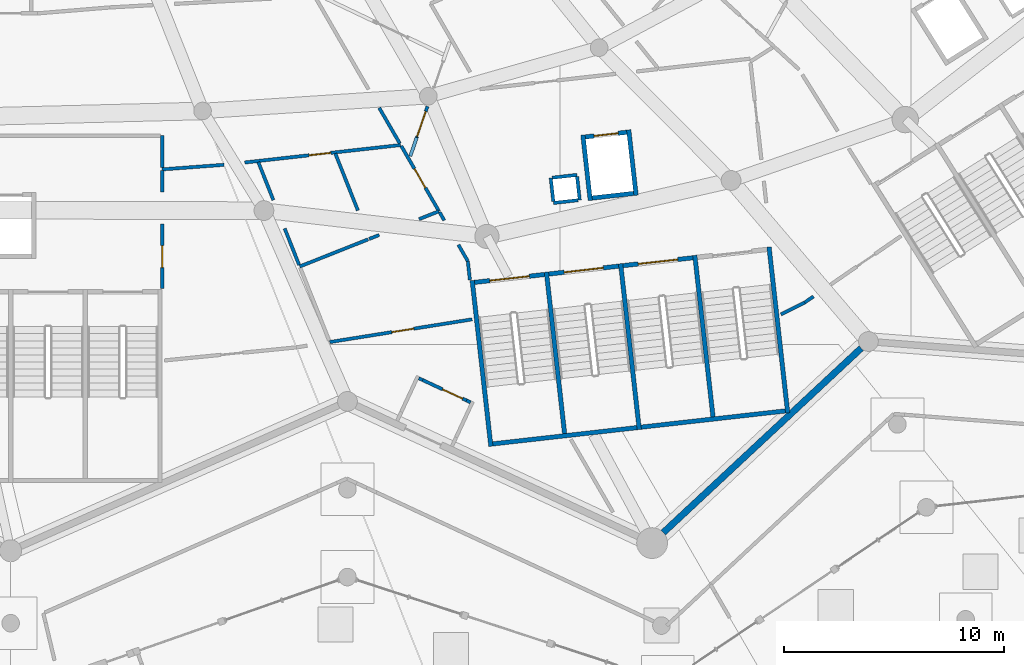
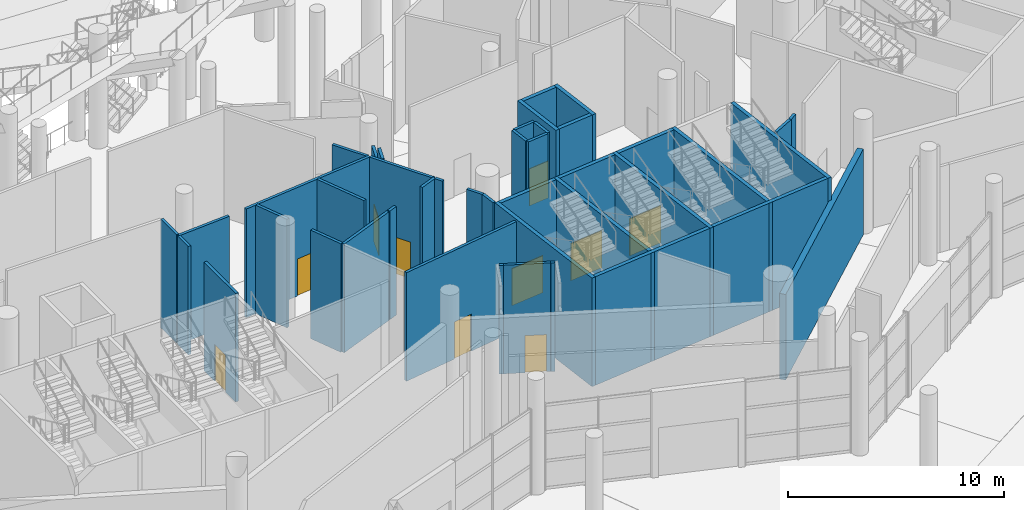
# One storey, part 119 of 255: 43 walls, 10 doors, 10 openings.
"""IFC4 building model written with IfcOpenShell, lengths in metres."""

from ifc_helpers import new_model, si_unit, direction, frame, frame_2d, origin, place, context, subcontext, project, spatial, rectangle, extrude, material, layer, layer_set, type_object, element, fill, save


model = new_model("IFC4")

# Units and contexts
model_context = context("Model", 3, precision=1e-05, world=origin(), true_north=direction((0.0, 1.0)))
body_context = subcontext(model_context, "Body", "Model", "MODEL_VIEW")
ifc_project = project(units=[si_unit("LENGTHUNIT", "METRE"), si_unit("AREAUNIT", "SQUARE_METRE"), si_unit("VOLUMEUNIT", "CUBIC_METRE"), si_unit("PLANEANGLEUNIT", "RADIAN"), si_unit("MASSUNIT", "GRAM", prefix="KILO")], contexts=[model_context])

# Site, building, storey
site_placement = place(None, origin())
site = spatial("IfcSite", under=ifc_project, at=site_placement, CompositionType="ELEMENT")
building_placement = place(site_placement, origin())
building = spatial("IfcBuilding", under=site, at=building_placement, Name="Meseta Stadium", CompositionType="ELEMENT")
storey_placement = place(building_placement, origin())
storey = spatial("IfcBuildingStorey", under=building, at=storey_placement, Name="L00", CompositionType="ELEMENT", Elevation=0.0)

# Walls
ifc_material_1 = material(Name="Concrete C40/50", Category="concrete")
ifc_layer_1 = layer(ifc_material_1, 0.199951171875)
ifc_layer_set_1 = layer_set([ifc_layer_1], Name="Core divider wall 200")
wall_type_1 = type_object("IfcWallType", Name="Core divider wall 200", PredefinedType="SHEAR", material=ifc_layer_set_1)
wall_1_placement = place(storey_placement, frame((48.241943359375, -100.264892578125, 0.0), z_axis=(0.0, 0.0, 1.0), x_axis=(-0.111954577255, 0.993713325176, 0.0)))
element("IfcWall", 1, at=wall_1_placement, inside=storey, type_object=wall_type_1, Name="Core 26 L00 stair A divider wall", PredefinedType="SHEAR", context=body_context, shape_type="SweptSolid", body=[
    extrude(rectangle(XDim=7.599853515625, YDim=0.199951171875, at=frame_2d((3.7998046875, 0.0))), origin(), (0.0, 0.0, 1.0), 6.14990234375),
])
wall_2_placement = place(storey_placement, frame((54.999267578125, -99.503662109375, 0.0), z_axis=(0.0, 0.0, 1.0), x_axis=(-0.111982724367, 0.993710153638, 0.0)))
element("IfcWall", 2, at=wall_2_placement, inside=storey, type_object=wall_type_1, Name="Core 26 L00 stair B divider wall", PredefinedType="SHEAR", context=body_context, shape_type="SweptSolid", body=[
    extrude(rectangle(XDim=7.60009765625, YDim=0.199951171875, at=frame_2d((3.800048828125, 0.0))), origin(), (0.0, 0.0, 1.0), 6.14990234375),
])
ifc_material_2 = material(Name="Concrete C40/50", Category="concrete")
ifc_layer_2 = layer(ifc_material_2, 0.199951171875)
ifc_layer_set_2 = layer_set([ifc_layer_2], Name="Core shaft wall 200")
wall_type_2 = type_object("IfcWallType", Name="Core shaft wall 200", PredefinedType="SHEAR", material=ifc_layer_set_2)
wall_3_placement = place(storey_placement, frame((44.86328125, -100.645751953125, 0.0), z_axis=(0.0, 0.0, 1.0), x_axis=(-0.111951003472, 0.993713727802, 0.0)))
element("IfcWall", 3, at=wall_3_placement, inside=storey, type_object=wall_type_2, Name="Core 26 L00 stair wall A-side", PredefinedType="SHEAR", context=body_context, shape_type="SweptSolid", body=[
    extrude(rectangle(XDim=7.60009765625, YDim=0.199951171875, at=frame_2d((3.800048828125, 0.0))), origin(), (0.0, 0.0, 1.0), 6.14990234375),
])
wall_4_placement = place(storey_placement, frame((51.62060546875, -99.884521484375, 0.0), z_axis=(0.0, 0.0, 1.0), x_axis=(-0.111947429915, 0.993714130389, 0.0)))
element("IfcWall", 4, at=wall_4_placement, inside=storey, type_object=wall_type_2, Name="Core 26 L00 stair wall shared", PredefinedType="SHEAR", context=body_context, shape_type="SweptSolid", body=[
    extrude(rectangle(XDim=7.600341796875, YDim=0.199951171875, at=frame_2d((3.80029296875, 0.0))), origin(), (0.0, 0.0, 1.0), 6.14990234375),
])
wall_5_placement = place(storey_placement, frame((58.3779296875, -99.123046875, 0.0), z_axis=(0.0, 0.0, 1.0), x_axis=(-0.111982724367, 0.993710153638, 0.0)))
element("IfcWall", 5, at=wall_5_placement, inside=storey, type_object=wall_type_2, Name="Core 26 L00 stair wall B-side", PredefinedType="SHEAR", context=body_context, shape_type="SweptSolid", body=[
    extrude(rectangle(XDim=7.60009765625, YDim=0.199951171875, at=frame_2d((3.800048828125, 0.0))), origin(), (0.0, 0.0, 1.0), 6.14990234375),
])
for number, where, z_axis, x_axis, name in (
    (6, (44.951416015625, -100.53515625, 0.0), (0.0, 0.0, 1.0), (0.993711575492, 0.111970106426, 0.0), "Core 26 L00 stair A outer end wall"),
    (7, (51.708740234375, -99.773681640625, 0.0), (0.0, 0.0, 1.0), (0.993715690617, 0.111933579504, 0.0), "Core 26 L00 stair B outer end wall"),
):
    element("IfcWall", number, at=place(storey_placement, frame(where, z_axis=z_axis, x_axis=x_axis)), inside=storey, type_object=wall_type_2, Name=name, PredefinedType="SHEAR", context=body_context, shape_type="SweptSolid", body=[
        extrude(rectangle(XDim=6.60009765625, YDim=0.199951171875, at=frame_2d((3.300048828125, 0.0))), origin(), (0.0, 0.0, 1.0), 6.14990234375),
    ])

# Wall, opening, door
wall_6_placement = place(storey_placement, frame((44.123046875, -93.181640625, 0.0), z_axis=(0.0, 0.0, 1.0), x_axis=(0.993717005286, 0.11192190762, 0.0)))
wall_6 = element("IfcWall", 8, at=wall_6_placement, inside=storey, type_object=wall_type_2, Name="Core 26 L00 stair A1 inner end wall", PredefinedType="SHEAR", context=body_context, shape_type="SweptSolid", body=[
    extrude(rectangle(XDim=3.199951171875, YDim=0.199951171875, at=frame_2d((1.60009765625, 0.0))), origin(), (0.0, 0.0, 1.0), 6.14990234375),
])
opening_1_placement = place(wall_6_placement, frame((0.699951171875, 0.0, 0.0)))
opening_1 = element("IfcOpeningElement", 9, at=opening_1_placement, cuts=wall_6, Name="Opening D345", PredefinedType="OPENING", context=body_context, shape_type="SweptSolid", body=[
    extrude(rectangle(XDim=1.800048828125, YDim=2.10009765625, at=frame_2d((0.89990234375, 1.050048828125))), frame((0.0, 0.10986328125, 0.0), z_axis=(0.0, -1.0, 0.0), x_axis=(1.0, 0.0, 0.0)), (0.0, 0.0, 1.0), 0.219970703125),
])
ifc_material_3 = material(Name="Steel", Category="steel")
door_type_1 = type_object("IfcDoorType", Name="Stair door 1800x2100", OperationType="DOUBLE_DOOR_SINGLE_SWING", PredefinedType="DOOR", material=ifc_material_3)
door_1_placement = place(opening_1_placement, origin())
door_1 = element("IfcDoor", 10, at=door_1_placement, inside=storey, type_object=door_type_1, Name="Stair A1 door 26 L00", OperationType="DOUBLE_DOOR_SINGLE_SWING", OverallHeight=2.10009765625, OverallWidth=1.800048828125, PredefinedType="DOOR", context=body_context, shape_type="SweptSolid", body=[
    extrude(rectangle(XDim=1.800048828125, YDim=2.10009765625, at=frame_2d((0.89990234375, 1.050048828125))), frame((0.0, 0.02490234375, 0.0), z_axis=(0.0, -1.0, 0.0), x_axis=(1.0, 0.0, 0.0)), (0.0, 0.0, 1.0), 0.050048828125),
])
fill(opening_1, door_1)

wall_7_placement = place(storey_placement, frame((47.501708984375, -92.801025390625, 0.0), z_axis=(0.0, 0.0, 1.0), x_axis=(0.993707560215, 0.112005735442, 0.0)))
wall_7 = element("IfcWall", 11, at=wall_7_placement, inside=storey, type_object=wall_type_2, Name="Core 26 L00 stair A2 inner end wall", PredefinedType="SHEAR", context=body_context, shape_type="SweptSolid", body=[
    extrude(rectangle(XDim=3.19970703125, YDim=0.199951171875, at=frame_2d((1.599853515625, 0.0))), origin(), (0.0, 0.0, 1.0), 6.14990234375),
])
opening_2_placement = place(wall_7_placement, frame((0.699951171875, 0.0, 0.0)))
opening_2 = element("IfcOpeningElement", 12, at=opening_2_placement, cuts=wall_7, Name="Opening D346", PredefinedType="OPENING", context=body_context, shape_type="SweptSolid", body=[
    extrude(rectangle(XDim=1.800048828125, YDim=2.10009765625, at=frame_2d((0.89990234375, 1.050048828125))), frame((0.0, 0.10986328125, 0.0), z_axis=(0.0, -1.0, 0.0), x_axis=(1.0, 0.0, 0.0)), (0.0, 0.0, 1.0), 0.219970703125),
])
door_2_placement = place(opening_2_placement, origin())
door_2 = element("IfcDoor", 13, at=door_2_placement, inside=storey, type_object=door_type_1, Name="Stair A2 door 26 L00", OperationType="DOUBLE_DOOR_SINGLE_SWING", OverallHeight=2.10009765625, OverallWidth=1.800048828125, PredefinedType="DOOR", context=body_context, shape_type="SweptSolid", body=[
    extrude(rectangle(XDim=1.800048828125, YDim=2.10009765625, at=frame_2d((0.89990234375, 1.050048828125))), frame((0.0, 0.02490234375, 0.0), z_axis=(0.0, -1.0, 0.0), x_axis=(1.0, 0.0, 0.0)), (0.0, 0.0, 1.0), 0.050048828125),
])
fill(opening_2, door_2)

wall_8_placement = place(storey_placement, frame((50.88037109375, -92.42041015625, 0.0), z_axis=(0.0, 0.0, 1.0), x_axis=(0.993707560215, 0.112005735442, 0.0)))
wall_8 = element("IfcWall", 14, at=wall_8_placement, inside=storey, type_object=wall_type_2, Name="Core 26 L00 stair B1 inner end wall", PredefinedType="SHEAR", context=body_context, shape_type="SweptSolid", body=[
    extrude(rectangle(XDim=3.19970703125, YDim=0.199951171875, at=frame_2d((1.599853515625, 0.0))), origin(), (0.0, 0.0, 1.0), 6.14990234375),
])
opening_3_placement = place(wall_8_placement, frame((0.699951171875, 0.0, 0.0)))
opening_3 = element("IfcOpeningElement", 15, at=opening_3_placement, cuts=wall_8, Name="Opening D347", PredefinedType="OPENING", context=body_context, shape_type="SweptSolid", body=[
    extrude(rectangle(XDim=1.800048828125, YDim=2.10009765625, at=frame_2d((0.89990234375, 1.050048828125))), frame((0.0, 0.10986328125, 0.0), z_axis=(0.0, -1.0, 0.0), x_axis=(1.0, 0.0, 0.0)), (0.0, 0.0, 1.0), 0.219970703125),
])
door_3_placement = place(opening_3_placement, origin())
door_3 = element("IfcDoor", 16, at=door_3_placement, inside=storey, type_object=door_type_1, Name="Stair B1 door 26 L00", OperationType="DOUBLE_DOOR_SINGLE_SWING", OverallHeight=2.10009765625, OverallWidth=1.800048828125, PredefinedType="DOOR", context=body_context, shape_type="SweptSolid", body=[
    extrude(rectangle(XDim=1.800048828125, YDim=2.10009765625, at=frame_2d((0.89990234375, 1.050048828125))), frame((0.0, 0.02490234375, 0.0), z_axis=(0.0, -1.0, 0.0), x_axis=(1.0, 0.0, 0.0)), (0.0, 0.0, 1.0), 0.050048828125),
])
fill(opening_3, door_3)

# Walls
for number, where, z_axis, x_axis, name in (
    (17, (49.388671875, -89.45361328125, 0.0), (0.0, 0.0, 1.0), (-0.111976588553, 0.993710845073, 0.0), "Core 26 L00 lift shaft wall left"),
    (18, (51.4755859375, -89.218505859375, 0.0), (0.0, 0.0, 1.0), (-0.111976588553, 0.993710845073, 0.0), "Core 26 L00 lift shaft wall right"),
):
    element("IfcWall", number, at=place(storey_placement, frame(where, z_axis=z_axis, x_axis=x_axis)), inside=storey, type_object=wall_type_2, Name=name, PredefinedType="SHEAR", context=body_context, shape_type="SweptSolid", body=[
        extrude(rectangle(XDim=3.0, YDim=0.199951171875, at=frame_2d((1.5, 0.0))), origin(), (0.0, 0.0, 1.0), 6.14990234375),
    ])
wall_9_placement = place(storey_placement, frame((49.476806640625, -89.343017578125, 0.0), z_axis=(0.0, 0.0, 1.0), x_axis=(0.993718105662, 0.11191213732, 0.0)))
element("IfcWall", 19, at=wall_9_placement, inside=storey, type_object=wall_type_2, Name="Core 26 L00 lift shaft back wall", PredefinedType="SHEAR", context=body_context, shape_type="SweptSolid", body=[
    extrude(rectangle(XDim=1.900146484375, YDim=0.199951171875, at=frame_2d((0.9501953125, 0.0))), origin(), (0.0, 0.0, 1.0), 6.14990234375),
])

# Wall, opening, door
wall_10_placement = place(storey_placement, frame((49.163330078125, -86.560791015625, 0.0), z_axis=(0.0, 0.0, 1.0), x_axis=(0.993703808847, 0.112039012324, 0.0)))
wall_10 = element("IfcWall", 20, at=wall_10_placement, inside=storey, type_object=wall_type_2, Name="Core 26 L00 lift shaft front wall", PredefinedType="SHEAR", context=body_context, shape_type="SweptSolid", body=[
    extrude(rectangle(XDim=1.900146484375, YDim=0.199951171875, at=frame_2d((0.9501953125, 0.0))), origin(), (0.0, 0.0, 1.0), 6.14990234375),
])
opening_4_placement = place(wall_10_placement, frame((0.39990234375, 0.0, 0.0)))
opening_4 = element("IfcOpeningElement", 21, at=opening_4_placement, cuts=wall_10, Name="Opening LD142", PredefinedType="OPENING", context=body_context, shape_type="SweptSolid", body=[
    extrude(rectangle(XDim=1.10009765625, YDim=2.10009765625, at=frame_2d((0.550048828125, 1.050048828125))), frame((0.0, 0.10986328125, 0.0), z_axis=(0.0, -1.0, 0.0), x_axis=(1.0, 0.0, 0.0)), (0.0, 0.0, 1.0), 0.219970703125),
])
ifc_material_4 = material(Name="Steel", Category="steel")
door_type_2 = type_object("IfcDoorType", Name="Lift landing door 1100x2100", OperationType="SLIDING_TO_LEFT", PredefinedType="DOOR", material=ifc_material_4)
door_4_placement = place(opening_4_placement, origin())
door_4 = element("IfcDoor", 22, at=door_4_placement, inside=storey, type_object=door_type_2, Name="Lift landing door LD142", OperationType="SLIDING_TO_RIGHT", OverallHeight=2.10009765625, OverallWidth=1.10009765625, PredefinedType="DOOR", context=body_context, shape_type="SweptSolid", body=[
    extrude(rectangle(XDim=1.10009765625, YDim=2.10009765625, at=frame_2d((0.550048828125, 1.050048828125))), frame((0.0, 0.02490234375, 0.0), z_axis=(0.0, -1.0, 0.0), x_axis=(1.0, 0.0, 0.0)), (0.0, 0.0, 1.0), 0.050048828125),
])
fill(opening_4, door_4)

ifc_material_5 = material(Name="Masonry blockwork", Category="masonry")
ifc_layer_3 = layer(ifc_material_5, 0.14990234375)
ifc_layer_set_3 = layer_set([ifc_layer_3], Name="Partition 150")
wall_type_3 = type_object("IfcWallType", Name="Partition 150", PredefinedType="PARTITIONING", material=ifc_layer_set_3)
wall_11_placement = place(storey_placement, frame((33.656982421875, -87.7236328125, 0.0), z_axis=(0.0, 0.0, 1.0), x_axis=(0.993792986052, 0.111245228541, 0.0)))
wall_11 = element("IfcWall", 23, at=wall_11_placement, inside=storey, type_object=wall_type_3, Name="Partition L00 L00-cell24-1-0", PredefinedType="PARTITIONING", context=body_context, shape_type="SweptSolid", body=[
    extrude(rectangle(XDim=7.145751953125, YDim=0.14990234375, at=frame_2d((3.57275390625, 0.0))), origin(), (0.0, 0.0, 1.0), 6.14990234375),
])
opening_5_placement = place(wall_11_placement, frame((2.94580078125, 0.0, 0.0)))
opening_5 = element("IfcOpeningElement", 24, at=opening_5_placement, cuts=wall_11, Name="Opening D606", PredefinedType="OPENING", context=body_context, shape_type="SweptSolid", body=[
    extrude(rectangle(XDim=1.0, YDim=2.10009765625, at=frame_2d((0.5, 1.050048828125))), frame((0.0, 0.0849609375, 0.0), z_axis=(0.0, -1.0, 0.0), x_axis=(1.0, 0.0, 0.0)), (0.0, 0.0, 1.0), 0.169921875),
])
ifc_material_6 = material(Name="Timber", Category="wood")
door_type_3 = type_object("IfcDoorType", Name="Room door 1000x2100", OperationType="NOTDEFINED", PredefinedType="DOOR", material=ifc_material_6)
door_5_placement = place(opening_5_placement, origin())
door_5 = element("IfcDoor", 25, at=door_5_placement, inside=storey, type_object=door_type_3, Name="Door D606", OperationType="SINGLE_SWING_LEFT", OverallHeight=2.10009765625, OverallWidth=1.0, PredefinedType="DOOR", context=body_context, shape_type="SweptSolid", body=[
    extrude(rectangle(XDim=1.0, YDim=2.10009765625, at=frame_2d((0.5, 1.050048828125))), frame((0.0, 0.02490234375, 0.0), z_axis=(0.0, -1.0, 0.0), x_axis=(1.0, 0.0, 0.0)), (0.0, 0.0, 1.0), 0.050048828125),
])
fill(opening_5, door_5)

# Walls
wall_12_placement = place(storey_placement, frame((32.710205078125, -87.82958984375, 0.0), z_axis=(0.0, 0.0, 1.0), x_axis=(-0.997265626559, -0.07390040652, 0.0)))
element("IfcWall", 26, at=wall_12_placement, inside=storey, type_object=wall_type_3, Name="Partition L00 L00-cell24-1-0", PredefinedType="PARTITIONING", context=body_context, shape_type="SweptSolid", body=[
    extrude(rectangle(XDim=2.818115234375, YDim=0.14990234375, at=frame_2d((1.4091796875, 0.0))), origin(), (0.0, 0.0, 1.0), 6.14990234375),
])
wall_13_placement = place(storey_placement, frame((29.89990234375, -87.962646484375, 0.0), z_axis=(0.0, 0.0, 1.0), x_axis=(0.0, 1.0, 0.0)))
element("IfcWall", 27, at=wall_13_placement, inside=storey, type_object=wall_type_3, Name="Partition L00 L00-cell24-1-0", PredefinedType="PARTITIONING", context=body_context, shape_type="SweptSolid", body=[
    extrude(rectangle(XDim=1.462646484375, YDim=0.14990234375, at=frame_2d((0.7314453125, 0.0))), origin(), (0.0, 0.0, 1.0), 6.14990234375),
])
wall_14_placement = place(storey_placement, frame((39.779296875, -85.23486328125, 0.0), z_axis=(0.0, 0.0, 1.0), x_axis=(0.500425153996, -0.865779801825, 0.0)))
element("IfcWall", 28, at=wall_14_placement, inside=storey, type_object=wall_type_3, Name="Partition L00 L00-cell24-1-0", PredefinedType="PARTITIONING", context=body_context, shape_type="SweptSolid", body=[
    extrude(rectangle(XDim=1.874267578125, YDim=0.14990234375, at=frame_2d((0.93701171875, 0.0))), origin(), (0.0, 0.0, 1.0), 6.14990234375),
])

# Wall, opening, door
wall_15_placement = place(storey_placement, frame((40.783447265625, -86.9716796875, 0.0), z_axis=(0.0, 0.0, 1.0), x_axis=(0.500377149394, -0.865807546955, 0.0)))
wall_15 = element("IfcWall", 29, at=wall_15_placement, inside=storey, type_object=wall_type_3, Name="Partition L00 L00-cell24-2-0a", PredefinedType="PARTITIONING", context=body_context, shape_type="SweptSolid", body=[
    extrude(rectangle(XDim=3.431884765625, YDim=0.14990234375, at=frame_2d((1.7158203125, 0.0))), origin(), (0.0, 0.0, 1.0), 6.14990234375),
])
opening_6_placement = place(wall_15_placement, frame((1.199951171875, 0.0, 0.0)))
opening_6 = element("IfcOpeningElement", 30, at=opening_6_placement, cuts=wall_15, Name="Opening D605", PredefinedType="OPENING", context=body_context, shape_type="SweptSolid", body=[
    extrude(rectangle(XDim=1.0, YDim=2.10009765625, at=frame_2d((0.5, 1.050048828125))), frame((0.0, 0.0849609375, 0.0), z_axis=(0.0, -1.0, 0.0), x_axis=(1.0, 0.0, 0.0)), (0.0, 0.0, 1.0), 0.169921875),
])
door_6_placement = place(opening_6_placement, origin())
door_6 = element("IfcDoor", 31, at=door_6_placement, inside=storey, type_object=door_type_3, Name="Door D605", OperationType="SINGLE_SWING_LEFT", OverallHeight=2.10009765625, OverallWidth=1.0, PredefinedType="DOOR", context=body_context, shape_type="SweptSolid", body=[
    extrude(rectangle(XDim=1.0, YDim=2.10009765625, at=frame_2d((0.5, 1.050048828125))), frame((0.0, 0.02490234375, 0.0), z_axis=(0.0, -1.0, 0.0), x_axis=(1.0, 0.0, 0.0)), (0.0, 0.0, 1.0), 0.050048828125),
])
fill(opening_6, door_6)

# Walls
wall_16_placement = place(storey_placement, frame((42.500732421875, -89.943115234375, 0.0), z_axis=(0.0, 0.0, 1.0), x_axis=(-0.929524719877, -0.368759806837, 0.0)))
element("IfcWall", 32, at=wall_16_placement, inside=storey, type_object=wall_type_3, Name="Partition L00 L00-cell24-2-0a", PredefinedType="PARTITIONING", context=body_context, shape_type="SweptSolid", body=[
    extrude(rectangle(XDim=0.9765625, YDim=0.14990234375, at=frame_2d((0.48828125, 0.0))), origin(), (0.0, 0.0, 1.0), 6.14990234375),
])
wall_17_placement = place(storey_placement, frame((39.77734375, -91.023681640625, 0.0), z_axis=(0.0, 0.0, 1.0), x_axis=(-0.929439007566, -0.368975786758, 0.0)))
element("IfcWall", 33, at=wall_17_placement, inside=storey, type_object=wall_type_3, Name="Partition L00 L00-cell24-2-0a", PredefinedType="PARTITIONING", context=body_context, shape_type="SweptSolid", body=[
    extrude(rectangle(XDim=0.48828125, YDim=0.14990234375, at=frame_2d((0.244140625, 0.0))), origin(), (0.0, 0.0, 1.0), 6.14990234375),
])
wall_18_placement = place(storey_placement, frame((38.808837890625, -89.90673828125, 0.0), z_axis=(0.0, 0.0, 1.0), x_axis=(-0.368870710823, 0.929480714537, 0.0)))
element("IfcWall", 34, at=wall_18_placement, inside=storey, type_object=wall_type_3, Name="Partition L00 L00-cell24-2-0a", PredefinedType="PARTITIONING", context=body_context, shape_type="SweptSolid", body=[
    extrude(rectangle(XDim=2.791015625, YDim=0.14990234375, at=frame_2d((1.3955078125, 0.0))), origin(), (0.0, 0.0, 1.0), 6.14990234375),
])
wall_19_placement = place(storey_placement, frame((39.277099609375, -91.222412109375, 0.0), z_axis=(0.0, 0.0, 1.0), x_axis=(-0.929492692584, -0.368840527103, 0.0)))
element("IfcWall", 35, at=wall_19_placement, inside=storey, type_object=wall_type_3, Name="Partition L00 L00-cell24-2-0b1", PredefinedType="PARTITIONING", context=body_context, shape_type="SweptSolid", body=[
    extrude(rectangle(XDim=3.3525390625, YDim=0.14990234375, at=frame_2d((1.67626953125, 0.0))), origin(), (0.0, 0.0, 1.0), 6.14990234375),
])
wall_20_placement = place(storey_placement, frame((36.13330078125, -92.38916015625, 0.0), z_axis=(0.0, 0.0, 1.0), x_axis=(-0.368794869891, 0.929510808943, 0.0)))
element("IfcWall", 36, at=wall_20_placement, inside=storey, type_object=wall_type_3, Name="Partition L00 L00-cell24-2-0b1", PredefinedType="PARTITIONING", context=body_context, shape_type="SweptSolid", body=[
    extrude(rectangle(XDim=1.78466796875, YDim=0.14990234375, at=frame_2d((0.892333984375, 0.0))), origin(), (0.0, 0.0, 1.0), 6.14990234375),
])
wall_21_placement = place(storey_placement, frame((34.96044921875, -89.43359375, 0.0), z_axis=(0.0, 0.0, 1.0), x_axis=(-0.368854520824, 0.929487139485, 0.0)))
element("IfcWall", 37, at=wall_21_placement, inside=storey, type_object=wall_type_3, Name="Partition L00 L00-cell24-2-0b1", PredefinedType="PARTITIONING", context=body_context, shape_type="SweptSolid", body=[
    extrude(rectangle(XDim=1.85986328125, YDim=0.14990234375, at=frame_2d((0.929931640625, 0.0))), origin(), (0.0, 0.0, 1.0), 6.14990234375),
])

# Wall, opening, door
wall_22_placement = place(storey_placement, frame((44.0107421875, -94.865234375, 0.0), z_axis=(0.0, 0.0, 1.0), x_axis=(-0.98752031679, -0.157491663037, 0.0)))
wall_22 = element("IfcWall", 38, at=wall_22_placement, inside=storey, type_object=wall_type_3, Name="Partition L00 L00-cell24-2-0b2", PredefinedType="PARTITIONING", context=body_context, shape_type="SweptSolid", body=[
    extrude(rectangle(XDim=6.566650390625, YDim=0.14990234375, at=frame_2d((3.283203125, 0.0))), origin(), (0.0, 0.0, 1.0), 6.14990234375),
])
opening_7_placement = place(wall_22_placement, frame((2.699951171875, 0.0, 0.0)))
opening_7 = element("IfcOpeningElement", 39, at=opening_7_placement, cuts=wall_22, Name="Opening D607", PredefinedType="OPENING", context=body_context, shape_type="SweptSolid", body=[
    extrude(rectangle(XDim=1.0, YDim=2.10009765625, at=frame_2d((0.5, 1.050048828125))), frame((0.0, 0.0849609375, 0.0), z_axis=(0.0, -1.0, 0.0), x_axis=(1.0, 0.0, 0.0)), (0.0, 0.0, 1.0), 0.169921875),
])
door_7_placement = place(opening_7_placement, origin())
door_7 = element("IfcDoor", 40, at=door_7_placement, inside=storey, type_object=door_type_3, Name="Door D607", OperationType="SINGLE_SWING_LEFT", OverallHeight=2.10009765625, OverallWidth=1.0, PredefinedType="DOOR", context=body_context, shape_type="SweptSolid", body=[
    extrude(rectangle(XDim=1.0, YDim=2.10009765625, at=frame_2d((0.5, 1.050048828125))), frame((0.0, 0.02490234375, 0.0), z_axis=(0.0, -1.0, 0.0), x_axis=(1.0, 0.0, 0.0)), (0.0, 0.0, 1.0), 0.050048828125),
])
fill(opening_7, door_7)

# Walls
wall_23_placement = place(storey_placement, frame((42.52587890625, -89.986328125, 0.0), z_axis=(0.0, 0.0, 1.0), x_axis=(0.500182682664, -0.865919906206, 0.0)))
element("IfcWall", 41, at=wall_23_placement, inside=storey, type_object=wall_type_3, Name="Partition L00 L00-cell24-2-0b2", PredefinedType="PARTITIONING", context=body_context, shape_type="SweptSolid", body=[
    extrude(rectangle(XDim=0.428466796875, YDim=0.14990234375, at=frame_2d((0.21435546875, 0.0))), origin(), (0.0, 0.0, 1.0), 6.14990234375),
])
wall_24_placement = place(storey_placement, frame((43.383544921875, -91.47021484375, 0.0), z_axis=(0.0, 0.0, 1.0), x_axis=(0.500396216532, -0.865796527182, 0.0)))
element("IfcWall", 42, at=wall_24_placement, inside=storey, type_object=wall_type_3, Name="Partition L00 L00-cell24-2-0b2", PredefinedType="PARTITIONING", context=body_context, shape_type="SweptSolid", body=[
    extrude(rectangle(XDim=0.857177734375, YDim=0.14990234375, at=frame_2d((0.4287109375, 0.0))), origin(), (0.0, 0.0, 1.0), 6.14990234375),
])
wall_25_placement = place(storey_placement, frame((43.8125, -92.21240234375, 0.0), z_axis=(0.0, 0.0, 1.0), x_axis=(0.112117924941, -0.993694908363, 0.0)))
element("IfcWall", 43, at=wall_25_placement, inside=storey, type_object=wall_type_3, Name="Partition L00 L00-cell24-2-0b2", PredefinedType="PARTITIONING", context=body_context, shape_type="SweptSolid", body=[
    extrude(rectangle(XDim=0.85791015625, YDim=0.14990234375, at=frame_2d((0.428955078125, 0.0))), origin(), (0.0, 0.0, 1.0), 6.14990234375),
])

# Wall, opening, door
wall_26_placement = place(storey_placement, frame((29.89990234375, -93.4599609375, 0.0), z_axis=(0.0, 0.0, 1.0), x_axis=(0.0, 1.0, 0.0)))
wall_26 = element("IfcWall", 44, at=wall_26_placement, inside=storey, type_object=wall_type_3, Name="Partition L00 L00-cell24-2-0w", PredefinedType="PARTITIONING", context=body_context, shape_type="SweptSolid", body=[
    extrude(rectangle(XDim=2.93017578125, YDim=0.14990234375, at=frame_2d((1.465087890625, 0.0))), origin(), (0.0, 0.0, 1.0), 6.14990234375),
])
opening_8_placement = place(wall_26_placement, frame((0.949951171875, 0.0, 0.0)))
opening_8 = element("IfcOpeningElement", 45, at=opening_8_placement, cuts=wall_26, Name="Opening D608", PredefinedType="OPENING", context=body_context, shape_type="SweptSolid", body=[
    extrude(rectangle(XDim=1.0, YDim=2.10009765625, at=frame_2d((0.5, 1.050048828125))), frame((0.0, 0.0849609375, 0.0), z_axis=(0.0, -1.0, 0.0), x_axis=(1.0, 0.0, 0.0)), (0.0, 0.0, 1.0), 0.169921875),
])
door_8_placement = place(opening_8_placement, origin())
door_8 = element("IfcDoor", 46, at=door_8_placement, inside=storey, type_object=door_type_3, Name="Door D608", OperationType="SINGLE_SWING_RIGHT", OverallHeight=2.10009765625, OverallWidth=1.0, PredefinedType="DOOR", context=body_context, shape_type="SweptSolid", body=[
    extrude(rectangle(XDim=1.0, YDim=2.10009765625, at=frame_2d((0.5, 1.050048828125))), frame((0.0, 0.02490234375, 0.0), z_axis=(0.0, -1.0, 0.0), x_axis=(1.0, 0.0, 0.0)), (0.0, 0.0, 1.0), 0.050048828125),
])
fill(opening_8, door_8)

# Walls
wall_27_placement = place(storey_placement, frame((29.89990234375, -89.064453125, 0.0), z_axis=(0.0, 0.0, 1.0), x_axis=(0.0, 1.0, 0.0)))
element("IfcWall", 47, at=wall_27_placement, inside=storey, type_object=wall_type_3, Name="Partition L00 L00-cell24-2-0w", PredefinedType="PARTITIONING", context=body_context, shape_type="SweptSolid", body=[
    extrude(rectangle(XDim=0.976806640625, YDim=0.14990234375, at=frame_2d((0.48828125, 0.0))), origin(), (0.0, 0.0, 1.0), 6.14990234375),
])
wall_28_placement = place(storey_placement, frame((59.55078125, -93.822509765625, 0.0), z_axis=(0.0, 0.0, 1.0), x_axis=(-0.823188427996, -0.567768273165, 0.0)))
element("IfcWall", 48, at=wall_28_placement, inside=storey, type_object=wall_type_3, Name="Partition L00 L00-cell25-2-0", PredefinedType="PARTITIONING", context=body_context, shape_type="SweptSolid", body=[
    extrude(rectangle(XDim=0.484619140625, YDim=0.14990234375, at=frame_2d((0.2421875, 0.0))), origin(), (0.0, 0.0, 1.0), 6.14990234375),
])
wall_29_placement = place(storey_placement, frame((59.15185546875, -94.09765625, 0.0), z_axis=(0.0, 0.0, 1.0), x_axis=(-0.89288454256, -0.450285680049, 0.0)))
element("IfcWall", 49, at=wall_29_placement, inside=storey, type_object=wall_type_3, Name="Partition L00 L00-cell25-2-0", PredefinedType="PARTITIONING", context=body_context, shape_type="SweptSolid", body=[
    extrude(rectangle(XDim=1.20703125, YDim=0.14990234375, at=frame_2d((0.603515625, 0.0))), origin(), (0.0, 0.0, 1.0), 6.14990234375),
])
wall_30_placement = place(storey_placement, frame((47.7158203125, -89.566650390625, 0.0), z_axis=(0.0, 0.0, 1.0), x_axis=(0.993710504932, 0.11197960702, 0.0)))
element("IfcWall", 50, at=wall_30_placement, inside=storey, type_object=wall_type_3, Name="Pressurisation shaft wall L00 core 26", PredefinedType="PARTITIONING", context=body_context, shape_type="SweptSolid", body=[
    extrude(rectangle(XDim=1.125, YDim=0.14990234375, at=frame_2d((0.5625, 0.0))), origin(), (0.0, 0.0, 1.0), 6.14990234375),
])
wall_31_placement = place(storey_placement, frame((48.908203125, -89.432373046875, 0.0), z_axis=(0.0, 0.0, 1.0), x_axis=(-0.111951742856, 0.993713644503, 0.0)))
element("IfcWall", 51, at=wall_31_placement, inside=storey, type_object=wall_type_3, Name="Pressurisation shaft wall L00 core 26", PredefinedType="PARTITIONING", context=body_context, shape_type="SweptSolid", body=[
    extrude(rectangle(XDim=1.0751953125, YDim=0.14990234375, at=frame_2d((0.53759765625, 0.0))), origin(), (0.0, 0.0, 1.0), 6.14990234375),
])
wall_32_placement = place(storey_placement, frame((48.779541015625, -88.28955078125, 0.0), z_axis=(0.0, 0.0, 1.0), x_axis=(-0.993710504932, -0.11197960702, 0.0)))
element("IfcWall", 52, at=wall_32_placement, inside=storey, type_object=wall_type_3, Name="Pressurisation shaft wall L00 core 26", PredefinedType="PARTITIONING", context=body_context, shape_type="SweptSolid", body=[
    extrude(rectangle(XDim=1.125, YDim=0.14990234375, at=frame_2d((0.5625, 0.0))), origin(), (0.0, 0.0, 1.0), 6.14990234375),
])
wall_33_placement = place(storey_placement, frame((47.587158203125, -88.423828125, 0.0), z_axis=(0.0, 0.0, 1.0), x_axis=(0.111951742856, -0.993713644503, 0.0)))
element("IfcWall", 53, at=wall_33_placement, inside=storey, type_object=wall_type_3, Name="Pressurisation shaft wall L00 core 26", PredefinedType="PARTITIONING", context=body_context, shape_type="SweptSolid", body=[
    extrude(rectangle(XDim=1.0751953125, YDim=0.14990234375, at=frame_2d((0.53759765625, 0.0))), origin(), (0.0, 0.0, 1.0), 6.14990234375),
])
wall_34_placement = place(storey_placement, frame((43.93798828125, -98.642822265625, 0.0), z_axis=(0.0, 0.0, 1.0), x_axis=(-0.906775442705, 0.421613918778, 0.0)))
element("IfcWall", 54, at=wall_34_placement, inside=storey, type_object=wall_type_3, Name="Partition L00 L00-cell24-3-0 vestibule", PredefinedType="PARTITIONING", context=body_context, shape_type="SweptSolid", body=[
    extrude(rectangle(XDim=0.19970703125, YDim=0.14990234375, at=frame_2d((0.099853515625, 0.0))), origin(), (0.0, 0.0, 1.0), 6.14990234375),
])

# Wall, opening, door
wall_35_placement = place(storey_placement, frame((43.7568359375, -98.55859375, 0.0), z_axis=(0.0, 0.0, 1.0), x_axis=(-0.906698414225, 0.421779546258, 0.0)))
wall_35 = element("IfcWall", 55, at=wall_35_placement, inside=storey, type_object=wall_type_3, Name="Partition L00 L00-cell24-3-0 vestibule", PredefinedType="PARTITIONING", context=body_context, shape_type="SweptSolid", body=[
    extrude(rectangle(XDim=2.2001953125, YDim=0.14990234375, at=frame_2d((1.10009765625, 0.0))), origin(), (0.0, 0.0, 1.0), 6.14990234375),
])
opening_9_placement = place(wall_35_placement, frame((0.199951171875, 0.0, 0.0)))
opening_9 = element("IfcOpeningElement", 56, at=opening_9_placement, cuts=wall_35, Name="Opening D864", PredefinedType="OPENING", context=body_context, shape_type="SweptSolid", body=[
    extrude(rectangle(XDim=1.0, YDim=2.10009765625, at=frame_2d((0.5, 1.050048828125))), frame((0.0, 0.0849609375, 0.0), z_axis=(0.0, -1.0, 0.0), x_axis=(1.0, 0.0, 0.0)), (0.0, 0.0, 1.0), 0.169921875),
])
ifc_material_7 = material(Name="Steel", Category="steel")
door_type_4 = type_object("IfcDoorType", Name="Fire door 1000x2100 EI2 60", OperationType="NOTDEFINED", PredefinedType="DOOR", material=ifc_material_7)
door_9_placement = place(opening_9_placement, origin())
door_9 = element("IfcDoor", 57, at=door_9_placement, inside=storey, type_object=door_type_4, Name="Vestibule door L00 L00-cell24-3-0", OperationType="SINGLE_SWING_LEFT", OverallHeight=2.10009765625, OverallWidth=1.0, PredefinedType="DOOR", context=body_context, shape_type="SweptSolid", body=[
    extrude(rectangle(XDim=1.0, YDim=2.10009765625, at=frame_2d((0.5, 1.050048828125))), frame((0.0, 0.02490234375, 0.0), z_axis=(0.0, -1.0, 0.0), x_axis=(1.0, 0.0, 0.0)), (0.0, 0.0, 1.0), 0.050048828125),
])
fill(opening_9, door_9)

# Wall
wall_36_placement = place(storey_placement, frame((41.761962890625, -97.630615234375, 0.0), z_axis=(0.0, 0.0, 1.0), x_axis=(-0.906775442705, 0.421613918778, 0.0)))
element("IfcWall", 58, at=wall_36_placement, inside=storey, type_object=wall_type_3, Name="Partition L00 L00-cell24-3-0 vestibule", PredefinedType="PARTITIONING", context=body_context, shape_type="SweptSolid", body=[
    extrude(rectangle(XDim=0.19970703125, YDim=0.14990234375, at=frame_2d((0.099853515625, 0.0))), origin(), (0.0, 0.0, 1.0), 6.14990234375),
])

# Wall, opening, door
wall_37_placement = place(storey_placement, frame((41.1953125, -87.4345703125, 0.0), z_axis=(0.0, 0.0, 1.0), x_axis=(0.326232368525, 0.94528960733, 0.0)))
wall_37 = element("IfcWall", 59, at=wall_37_placement, inside=storey, type_object=wall_type_3, Name="Escape corridor sector wall L00 core 26", PredefinedType="PARTITIONING", context=body_context, shape_type="SweptSolid", body=[
    extrude(rectangle(XDim=2.39697265625, YDim=0.14990234375, at=frame_2d((1.198486328125, 0.0))), origin(), (0.0, 0.0, 1.0), 5.25),
])
opening_10_placement = place(wall_37_placement, frame((0.949951171875, 0.0, 0.0)))
opening_10 = element("IfcOpeningElement", 60, at=opening_10_placement, cuts=wall_37, Name="Opening D430", PredefinedType="OPENING", context=body_context, shape_type="SweptSolid", body=[
    extrude(rectangle(XDim=1.199951171875, YDim=2.10009765625, at=frame_2d((0.60009765625, 1.050048828125))), frame((0.0, 0.0849609375, 0.0), z_axis=(0.0, -1.0, 0.0), x_axis=(1.0, 0.0, 0.0)), (0.0, 0.0, 1.0), 0.169921875),
])
ifc_material_8 = material(Name="Steel", Category="steel")
door_type_5 = type_object("IfcDoorType", Name="Fire door 1200x2100 EI2 60", OperationType="NOTDEFINED", PredefinedType="DOOR", material=ifc_material_8)
door_10_placement = place(opening_10_placement, origin())
door_10 = element("IfcDoor", 61, at=door_10_placement, inside=storey, type_object=door_type_5, Name="Escape corridor door EC26-1", OperationType="SINGLE_SWING_RIGHT", OverallHeight=2.10009765625, OverallWidth=1.199951171875, PredefinedType="DOOR", context=body_context, shape_type="SweptSolid", body=[
    extrude(rectangle(XDim=1.199951171875, YDim=2.10009765625, at=frame_2d((0.60009765625, 1.050048828125))), frame((0.0, 0.02490234375, 0.0), z_axis=(0.0, -1.0, 0.0), x_axis=(1.0, 0.0, 0.0)), (0.0, 0.0, 1.0), 0.050048828125),
])
fill(opening_10, door_10)

# Walls
wall_38_placement = place(storey_placement, frame((41.1953125, -87.4345703125, 5.25), z_axis=(0.0, 0.0, 1.0), x_axis=(0.326057561257, 0.945349917622, 0.0)))
element("IfcWall", 62, at=wall_38_placement, inside=storey, type_object=wall_type_3, Name="Escape corridor sector wall L00 core 26", PredefinedType="PARTITIONING", context=body_context, shape_type="SweptSolid", body=[
    extrude(rectangle(XDim=0.89990234375, YDim=0.14990234375, at=frame_2d((0.449951171875, 0.0))), origin(), (0.0, 0.0, 1.0), 0.89990234375),
])
ifc_material_9 = material(Name="White precast concrete C40/50", Category="concrete")
ifc_layer_4 = layer(ifc_material_9, 0.300048828125)
ifc_layer_set_4 = layer_set([ifc_layer_4], Name="Pleated panel wall 300 concourse")
wall_type_4 = type_object("IfcWallType", Name="Pleated panel wall 300 concourse", PredefinedType="SOLIDWALL", material=ifc_layer_set_4)
wall_39_placement = place(storey_placement, frame((61.72265625, -96.17919921875, 0.0), z_axis=(0.0, 0.0, 1.0), x_axis=(-0.731540985517, -0.681797467368, 0.0)))
element("IfcWall", 63, at=wall_39_placement, inside=storey, type_object=wall_type_4, Name="Pleated facade panel L00 F50", PredefinedType="SOLIDWALL", context=body_context, shape_type="SweptSolid", body=[
    extrude(rectangle(XDim=12.314208984375, YDim=0.300048828125, at=frame_2d((6.1572265625, 0.0))), origin(), (0.0, 0.0, 1.0), 4.85009765625),
])

save(model, "model.ifc")
